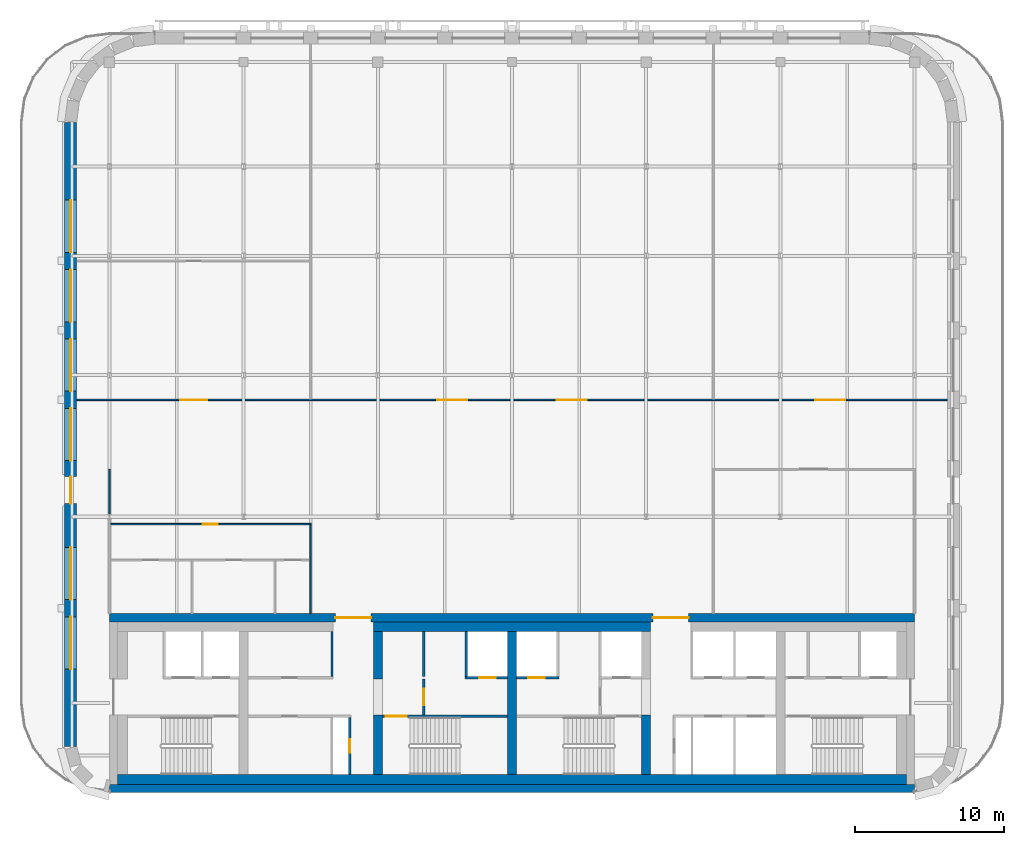
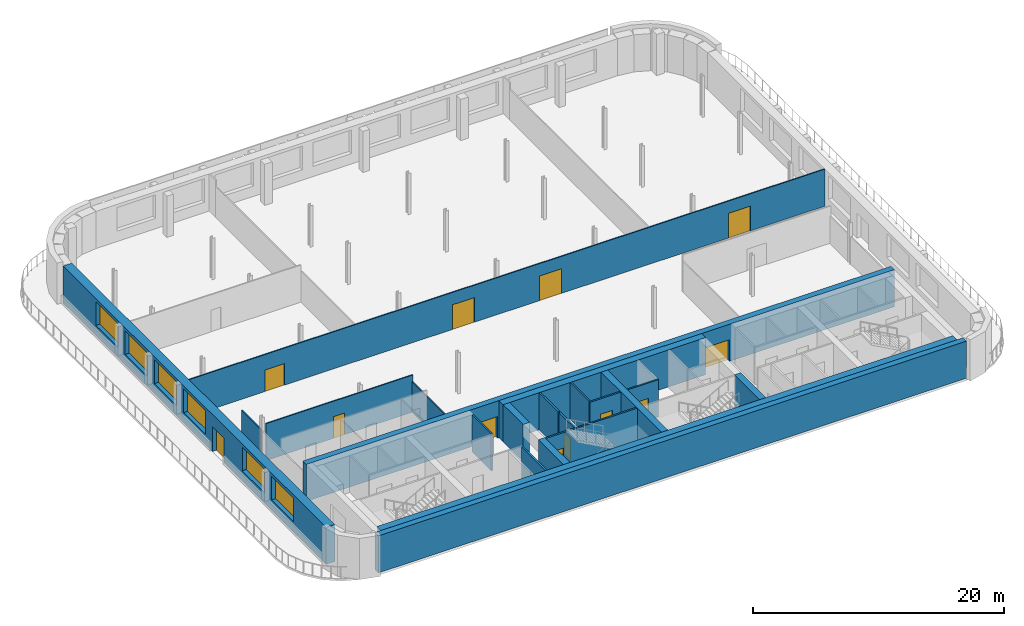
# One storey, part 7 of 13: 21 walls, 13 doors, 6 windows, 19 openings.
"""IFC4 building model written with IfcOpenShell, lengths in metres."""

from ifc_helpers import new_model, si_unit, direction, frame, frame_2d, origin, place, context, subcontext, project, spatial, rectangle, extrude, material, layer, layer_set, type_object, element, fill, save


model = new_model("IFC4")

# Units and contexts
model_context = context("Model", 3, precision=1e-05, world=origin(), true_north=direction((0.0, 1.0)))
body_context = subcontext(model_context, "Body", "Model", "MODEL_VIEW")
ifc_project = project(units=[si_unit("LENGTHUNIT", "METRE"), si_unit("AREAUNIT", "SQUARE_METRE"), si_unit("VOLUMEUNIT", "CUBIC_METRE"), si_unit("PLANEANGLEUNIT", "RADIAN"), si_unit("MASSUNIT", "GRAM", prefix="KILO")], contexts=[model_context])

# Site, building, storey
site_placement = place(None, origin())
site = spatial("IfcSite", under=ifc_project, at=site_placement, CompositionType="ELEMENT")
building_placement = place(site_placement, origin())
building = spatial("IfcBuilding", under=site, at=building_placement, Name="Zellij Exchange Tower", CompositionType="ELEMENT")
storey_placement = place(building_placement, frame((0.0, 0.0, 292.5)))
storey = spatial("IfcBuildingStorey", under=building, at=storey_placement, Name="L69", CompositionType="ELEMENT", Elevation=292.5)

# Walls
ifc_material_1 = material(Name="Concrete C50/60", Category="concrete")
ifc_layer_1 = layer(ifc_material_1, 0.60009765625)
ifc_layer_set_1 = layer_set([ifc_layer_1], Name="Concrete C50/60")
wall_type_1 = type_object("IfcWallType", Name="CORE-CW 600 C50/60", PredefinedType="SHEAR", material=ifc_layer_set_1)
wall_1_placement = place(storey_placement, frame((-9.0, -12.800048828125, 0.0), z_axis=(0.0, 0.0, 1.0), x_axis=(0.0, 1.0, 0.0)))
element("IfcWall", 1, at=wall_1_placement, inside=storey, type_object=wall_type_1, Name="Core cross wall pier x -9 a L69", PredefinedType="SHEAR", context=body_context, shape_type="SweptSolid", body=[
    extrude(rectangle(XDim=4.0, YDim=0.60009765625, at=frame_2d((2.0, 0.0))), origin(), (0.0, 0.0, 1.0), 3.60009765625),
])
wall_2_placement = place(storey_placement, frame((-9.0, -6.375, 0.0), z_axis=(0.0, 0.0, 1.0), x_axis=(0.0, 1.0, 0.0)))
element("IfcWall", 2, at=wall_2_placement, inside=storey, type_object=wall_type_1, Name="Core cross wall pier x -9 b L69", PredefinedType="SHEAR", context=body_context, shape_type="SweptSolid", body=[
    extrude(rectangle(XDim=3.175048828125, YDim=0.60009765625, at=frame_2d((1.58740234375, 0.0))), origin(), (0.0, 0.0, 1.0), 3.60009765625),
])
wall_3_placement = place(storey_placement, frame((0.0, -12.800048828125, 0.0), z_axis=(0.0, 0.0, 1.0), x_axis=(0.0, 1.0, 0.0)))
element("IfcWall", 3, at=wall_3_placement, inside=storey, type_object=wall_type_1, Name="Core cross wall x 0 L69", PredefinedType="SHEAR", context=body_context, shape_type="SweptSolid", body=[
    extrude(rectangle(XDim=9.60009765625, YDim=0.60009765625, at=frame_2d((4.800048828125, 0.0))), origin(), (0.0, 0.0, 1.0), 3.60009765625),
])
wall_4_placement = place(storey_placement, frame((9.0, -12.800048828125, 0.0), z_axis=(0.0, 0.0, 1.0), x_axis=(0.0, 1.0, 0.0)))
element("IfcWall", 4, at=wall_4_placement, inside=storey, type_object=wall_type_1, Name="Core cross wall pier x 9 a L69", PredefinedType="SHEAR", context=body_context, shape_type="SweptSolid", body=[
    extrude(rectangle(XDim=4.0, YDim=0.60009765625, at=frame_2d((2.0, 0.0))), origin(), (0.0, 0.0, 1.0), 3.60009765625),
])
ifc_material_2 = material(Name="Concrete C30/37", Category="concrete")
ifc_layer_2 = layer(ifc_material_2, 0.64990234375)
ifc_layer_set_2 = layer_set([ifc_layer_2], Name="Concrete C30/37")
wall_type_2 = type_object("IfcWallType", Name="CORE-LW 650 C30/37", PredefinedType="SHEAR", material=ifc_layer_set_2)
wall_5_placement = place(storey_placement, frame((-9.300048828125, -2.875, 0.0), z_axis=(0.0, 0.0, 1.0), x_axis=(1.0, 0.0, 0.0)))
element("IfcWall", 5, at=wall_5_placement, inside=storey, type_object=wall_type_2, Name="Core wall lining front.1 L69", PredefinedType="SHEAR", context=body_context, shape_type="SweptSolid", body=[
    extrude(rectangle(XDim=18.60009765625, YDim=0.64990234375, at=frame_2d((9.300048828125, 0.0))), origin(), (0.0, 0.0, 1.0), 3.60009765625),
])
wall_6_placement = place(storey_placement, frame((-26.449951171875, -13.125, 0.0), z_axis=(0.0, 0.0, 1.0), x_axis=(1.0, 0.0, 0.0)))
element("IfcWall", 6, at=wall_6_placement, inside=storey, type_object=wall_type_2, Name="Core wall lining rear.0 L69", PredefinedType="SHEAR", context=body_context, shape_type="SweptSolid", body=[
    extrude(rectangle(XDim=52.89990234375, YDim=0.64990234375, at=frame_2d((26.449951171875, 0.0))), origin(), (0.0, 0.0, 1.0), 3.60009765625),
])

# Wall, opening, door
ifc_material_3 = material(Name="Gypsum shaft wall system")
ifc_layer_3 = layer(ifc_material_3, 0.14990234375)
ifc_layer_set_3 = layer_set([ifc_layer_3], Name="Gypsum shaft wall system")
wall_type_3 = type_object("IfcWallType", Name="CORE-PW 150 Firefighting lobby wall", PredefinedType="PARTITIONING", material=ifc_layer_set_3)
wall_7_placement = place(storey_placement, frame((-5.925048828125, -8.800048828125, 0.0), z_axis=(0.0, 0.0, 1.0), x_axis=(0.0, 1.0, 0.0)))
wall_7 = element("IfcWall", 7, at=wall_7_placement, inside=storey, type_object=wall_type_3, Name="Firefighting lobby wall L69", PredefinedType="PARTITIONING", context=body_context, shape_type="SweptSolid", body=[
    extrude(rectangle(XDim=2.425048828125, YDim=0.14990234375, at=frame_2d((1.21240234375, 0.0))), origin(), (0.0, 0.0, 1.0), 3.60009765625),
])
opening_1_placement = place(wall_7_placement, frame((0.662109375, 0.0, 0.0)))
opening_1 = element("IfcOpeningElement", 8, at=opening_1_placement, cuts=wall_7, Name="Opening CA-36.10", PredefinedType="OPENING", context=body_context, shape_type="SweptSolid", body=[
    extrude(rectangle(XDim=1.10009765625, YDim=2.10009765625, at=frame_2d((0.550048828125, 1.050048828125))), frame((0.0, 0.0869140625, 0.0), z_axis=(0.0, -1.0, 0.0), x_axis=(1.0, 0.0, 0.0)), (0.0, 0.0, 1.0), 0.173828125),
])
ifc_material_4 = material(Name="Hollow metal fire door")
door_type_1 = type_object("IfcDoorType", Name="CORE-D F Firefighting lobby door 1100x2100 1 HR", OperationType="NOTDEFINED", PredefinedType="DOOR", material=ifc_material_4)
door_1_placement = place(opening_1_placement, origin())
door_1 = element("IfcDoor", 9, at=door_1_placement, inside=storey, type_object=door_type_1, Name="Firefighting lobby door CA-36.10", OperationType="SINGLE_SWING_LEFT", OverallHeight=2.10009765625, OverallWidth=1.10009765625, PredefinedType="DOOR", context=body_context, shape_type="SweptSolid", body=[
    extrude(rectangle(XDim=1.10009765625, YDim=2.10009765625, at=frame_2d((0.550048828125, 1.050048828125))), frame((0.0, 0.02490234375, 0.0), z_axis=(0.0, -1.0, 0.0), x_axis=(1.0, 0.0, 0.0)), (0.0, 0.0, 1.0), 0.050048828125),
])
fill(opening_1, door_1)

# Walls
ifc_material_5 = material(Name="Gypsum board partition")
ifc_layer_4 = layer(ifc_material_5, 0.14990234375)
ifc_layer_set_4 = layer_set([ifc_layer_4], Name="Gypsum board partition")
wall_type_4 = type_object("IfcWallType", Name="CORE-PW 150 Lift lobby wall", PredefinedType="PARTITIONING", material=ifc_layer_set_4)
for number, where, z_axis, x_axis, name in (
    (10, (-12.074951171875, -6.22509765625, 0.0), (0.0, 0.0, 1.0), (0.0, 1.0, 0.0), "Lift lobby wall L69"),
    (11, (-5.925048828125, -6.22509765625, 0.0), (0.0, 0.0, 1.0), (0.0, 1.0, 0.0), "Lift lobby wall L69"),
):
    element("IfcWall", number, at=place(storey_placement, frame(where, z_axis=z_axis, x_axis=x_axis)), inside=storey, type_object=wall_type_4, Name=name, PredefinedType="PARTITIONING", context=body_context, shape_type="SweptSolid", body=[
        extrude(rectangle(XDim=3.025146484375, YDim=0.14990234375, at=frame_2d((1.5126953125, 0.0))), origin(), (0.0, 0.0, 1.0), 3.60009765625),
    ])

# Wall, opening, door
wall_8_placement = place(storey_placement, frame((-10.875, -12.800048828125, 0.0), z_axis=(0.0, 0.0, 1.0), x_axis=(0.0, 1.0, 0.0)))
wall_8 = element("IfcWall", 12, at=wall_8_placement, inside=storey, type_object=wall_type_4, Name="Lift lobby wall L69", PredefinedType="PARTITIONING", context=body_context, shape_type="SweptSolid", body=[
    extrude(rectangle(XDim=3.85009765625, YDim=0.14990234375, at=frame_2d((1.925048828125, 0.0))), origin(), (0.0, 0.0, 1.0), 3.60009765625),
])
opening_2_placement = place(wall_8_placement, frame((1.47509765625, 0.0, 0.0)))
opening_2 = element("IfcOpeningElement", 13, at=opening_2_placement, cuts=wall_8, Name="Opening CA-36.07", PredefinedType="OPENING", context=body_context, shape_type="SweptSolid", body=[
    extrude(rectangle(XDim=0.89990234375, YDim=2.10009765625, at=frame_2d((0.449951171875, 1.050048828125))), frame((0.0, 0.0869140625, 0.0), z_axis=(0.0, -1.0, 0.0), x_axis=(1.0, 0.0, 0.0)), (0.0, 0.0, 1.0), 0.173828125),
])
door_type_2 = type_object("IfcDoorType", Name="CORE-D RD Riser door 900x2100 1.5 HR", OperationType="NOTDEFINED", PredefinedType="DOOR", material=ifc_material_4)
door_2_placement = place(opening_2_placement, origin())
door_2 = element("IfcDoor", 14, at=door_2_placement, inside=storey, type_object=door_type_2, Name="Riser door CA-36.07", OperationType="SINGLE_SWING_RIGHT", OverallHeight=2.10009765625, OverallWidth=0.89990234375, PredefinedType="DOOR", context=body_context, shape_type="SweptSolid", body=[
    extrude(rectangle(XDim=0.89990234375, YDim=2.10009765625, at=frame_2d((0.449951171875, 1.050048828125))), frame((0.0, 0.02490234375, 0.0), z_axis=(0.0, -1.0, 0.0), x_axis=(1.0, 0.0, 0.0)), (0.0, 0.0, 1.0), 0.050048828125),
])
fill(opening_2, door_2)

# Wall
ifc_layer_5 = layer(ifc_material_3, 0.14990234375)
ifc_layer_set_5 = layer_set([ifc_layer_5], Name="Gypsum shaft wall system")
wall_type_5 = type_object("IfcWallType", Name="CORE-PW 150 Lift shaft wall", PredefinedType="PARTITIONING", material=ifc_layer_set_5)
wall_9_placement = place(storey_placement, frame((-3.074951171875, -6.22509765625, 0.0), z_axis=(0.0, 0.0, 1.0), x_axis=(0.0, 1.0, 0.0)))
element("IfcWall", 15, at=wall_9_placement, inside=storey, type_object=wall_type_5, Name="Lift shaft wall L69", PredefinedType="PARTITIONING", context=body_context, shape_type="SweptSolid", body=[
    extrude(rectangle(XDim=3.025146484375, YDim=0.14990234375, at=frame_2d((1.5126953125, 0.0))), origin(), (0.0, 0.0, 1.0), 3.60009765625),
])

# Wall, opening, door
wall_10_placement = place(storey_placement, frame((-3.14990234375, -6.300048828125, 0.0), z_axis=(0.0, 0.0, 1.0), x_axis=(1.0, 0.0, 0.0)))
wall_10 = element("IfcWall", 16, at=wall_10_placement, inside=storey, type_object=wall_type_5, Name="Lift shaft wall L69", PredefinedType="PARTITIONING", context=body_context, shape_type="SweptSolid", body=[
    extrude(rectangle(XDim=2.849853515625, YDim=0.14990234375, at=frame_2d((1.4248046875, 0.0))), origin(), (0.0, 0.0, 1.0), 3.60009765625),
])
opening_3_placement = place(wall_10_placement, frame((0.949951171875, 0.0, 0.0)))
opening_3 = element("IfcOpeningElement", 17, at=opening_3_placement, cuts=wall_10, Name="Opening CA-36.11", PredefinedType="OPENING", context=body_context, shape_type="SweptSolid", body=[
    extrude(rectangle(XDim=1.10009765625, YDim=2.10009765625, at=frame_2d((0.550048828125, 1.050048828125))), frame((0.0, 0.0869140625, 0.0), z_axis=(0.0, -1.0, 0.0), x_axis=(1.0, 0.0, 0.0)), (0.0, 0.0, 1.0), 0.173828125),
])
door_type_3 = type_object("IfcDoorType", Name="CORE-D LD Lift landing door 1100x2100 1.5 HR", OperationType="NOTDEFINED", PredefinedType="DOOR", material=ifc_material_4)
door_3_placement = place(opening_3_placement, origin())
door_3 = element("IfcDoor", 18, at=door_3_placement, inside=storey, type_object=door_type_3, Name="Lift landing door CA-36.11", OperationType="SLIDING_TO_LEFT", OverallHeight=2.10009765625, OverallWidth=1.10009765625, PredefinedType="DOOR", context=body_context, shape_type="SweptSolid", body=[
    extrude(rectangle(XDim=1.10009765625, YDim=2.10009765625, at=frame_2d((0.550048828125, 1.050048828125))), frame((0.0, 0.02490234375, 0.0), z_axis=(0.0, -1.0, 0.0), x_axis=(1.0, 0.0, 0.0)), (0.0, 0.0, 1.0), 0.050048828125),
])
fill(opening_3, door_3)

wall_11_placement = place(storey_placement, frame((0.300048828125, -6.300048828125, 0.0), z_axis=(0.0, 0.0, 1.0), x_axis=(1.0, 0.0, 0.0)))
wall_11 = element("IfcWall", 19, at=wall_11_placement, inside=storey, type_object=wall_type_5, Name="Lift shaft wall L69", PredefinedType="PARTITIONING", context=body_context, shape_type="SweptSolid", body=[
    extrude(rectangle(XDim=2.849853515625, YDim=0.14990234375, at=frame_2d((1.4248046875, 0.0))), origin(), (0.0, 0.0, 1.0), 3.60009765625),
])
opening_4_placement = place(wall_11_placement, frame((0.800048828125, 0.0, 0.0)))
opening_4 = element("IfcOpeningElement", 20, at=opening_4_placement, cuts=wall_11, Name="Opening CA-36.12", PredefinedType="OPENING", context=body_context, shape_type="SweptSolid", body=[
    extrude(rectangle(XDim=1.10009765625, YDim=2.10009765625, at=frame_2d((0.550048828125, 1.050048828125))), frame((0.0, 0.0869140625, 0.0), z_axis=(0.0, -1.0, 0.0), x_axis=(1.0, 0.0, 0.0)), (0.0, 0.0, 1.0), 0.173828125),
])
door_4_placement = place(opening_4_placement, origin())
door_4 = element("IfcDoor", 21, at=door_4_placement, inside=storey, type_object=door_type_3, Name="Lift landing door CA-36.12", OperationType="SLIDING_TO_RIGHT", OverallHeight=2.10009765625, OverallWidth=1.10009765625, PredefinedType="DOOR", context=body_context, shape_type="SweptSolid", body=[
    extrude(rectangle(XDim=1.10009765625, YDim=2.10009765625, at=frame_2d((0.550048828125, 1.050048828125))), frame((0.0, 0.02490234375, 0.0), z_axis=(0.0, -1.0, 0.0), x_axis=(1.0, 0.0, 0.0)), (0.0, 0.0, 1.0), 0.050048828125),
])
fill(opening_4, door_4)

# Wall, openings, doors
ifc_layer_6 = layer(ifc_material_1, 0.550048828125)
ifc_layer_set_6 = layer_set([ifc_layer_6], Name="Concrete C50/60")
wall_type_6 = type_object("IfcWallType", Name="CORE-SW 550 C50/60", PredefinedType="SHEAR", material=ifc_layer_set_6)
wall_12_placement = place(storey_placement, frame((-27.0, -2.27490234375, 0.0), z_axis=(0.0, 0.0, 1.0), x_axis=(1.0, 0.0, 0.0)))
wall_12 = element("IfcWall", 22, at=wall_12_placement, inside=storey, type_object=wall_type_6, Name="Core shear wall front L69", PredefinedType="SHEAR", context=body_context, shape_type="SweptSolid", body=[
    extrude(rectangle(XDim=54.0, YDim=0.550048828125, at=frame_2d((27.0, 0.0))), origin(), (0.0, 0.0, 1.0), 3.60009765625),
])
opening_5_placement = place(wall_12_placement, frame((15.14990234375, 0.0, 0.0)))
opening_5 = element("IfcOpeningElement", 23, at=opening_5_placement, cuts=wall_12, Name="Opening CA-36.08", PredefinedType="OPENING", context=body_context, shape_type="SweptSolid", body=[
    extrude(rectangle(XDim=2.39990234375, YDim=2.10009765625, at=frame_2d((1.199951171875, 1.050048828125))), frame((0.0, 0.287109375, 0.0), z_axis=(0.0, -1.0, 0.0), x_axis=(1.0, 0.0, 0.0)), (0.0, 0.0, 1.0), 0.573974609375),
])
opening_6_placement = place(wall_12_placement, frame((36.449951171875, 0.0, 0.0)))
opening_6 = element("IfcOpeningElement", 24, at=opening_6_placement, cuts=wall_12, Name="Opening CA-36.16", PredefinedType="OPENING", context=body_context, shape_type="SweptSolid", body=[
    extrude(rectangle(XDim=2.39990234375, YDim=2.10009765625, at=frame_2d((1.199951171875, 1.050048828125))), frame((0.0, 0.287109375, 0.0), z_axis=(0.0, -1.0, 0.0), x_axis=(1.0, 0.0, 0.0)), (0.0, 0.0, 1.0), 0.573974609375),
])
door_type_4 = type_object("IfcDoorType", Name="CORE-D CE Core entrance door 2400x2100 20 MIN", OperationType="NOTDEFINED", PredefinedType="DOOR", material=ifc_material_4)
door_5_placement = place(opening_5_placement, origin())
door_5 = element("IfcDoor", 25, at=door_5_placement, inside=storey, type_object=door_type_4, Name="Core entrance door CA-36.08", OperationType="DOUBLE_DOOR_SINGLE_SWING", OverallHeight=2.10009765625, OverallWidth=2.39990234375, PredefinedType="DOOR", context=body_context, shape_type="SweptSolid", body=[
    extrude(rectangle(XDim=2.39990234375, YDim=2.10009765625, at=frame_2d((1.199951171875, 1.050048828125))), frame((0.0, 0.02490234375, 0.0), z_axis=(0.0, -1.0, 0.0), x_axis=(1.0, 0.0, 0.0)), (0.0, 0.0, 1.0), 0.050048828125),
])
fill(opening_5, door_5)
door_6_placement = place(opening_6_placement, origin())
door_6 = element("IfcDoor", 26, at=door_6_placement, inside=storey, type_object=door_type_4, Name="Core entrance door CA-36.16", OperationType="DOUBLE_DOOR_SINGLE_SWING", OverallHeight=2.10009765625, OverallWidth=2.39990234375, PredefinedType="DOOR", context=body_context, shape_type="SweptSolid", body=[
    extrude(rectangle(XDim=2.39990234375, YDim=2.10009765625, at=frame_2d((1.199951171875, 1.050048828125))), frame((0.0, 0.02490234375, 0.0), z_axis=(0.0, -1.0, 0.0), x_axis=(1.0, 0.0, 0.0)), (0.0, 0.0, 1.0), 0.050048828125),
])
fill(opening_6, door_6)

# Wall
wall_13_placement = place(storey_placement, frame((-27.0, -13.72509765625, 0.0), z_axis=(0.0, 0.0, 1.0), x_axis=(1.0, 0.0, 0.0)))
element("IfcWall", 27, at=wall_13_placement, inside=storey, type_object=wall_type_6, Name="Core shear wall rear L69", PredefinedType="SHEAR", context=body_context, shape_type="SweptSolid", body=[
    extrude(rectangle(XDim=54.0, YDim=0.550048828125, at=frame_2d((27.0, 0.0))), origin(), (0.0, 0.0, 1.0), 3.60009765625),
])

# Wall, opening, door
ifc_layer_7 = layer(ifc_material_1, 0.14990234375)
ifc_layer_set_7 = layer_set([ifc_layer_7], Name="Concrete C50/60")
wall_type_7 = type_object("IfcWallType", Name="CORE-SWS 150 C50/60", PredefinedType="SHEAR", material=ifc_layer_set_7)
wall_14_placement = place(storey_placement, frame((-8.699951171875, -8.875, 0.0), z_axis=(0.0, 0.0, 1.0), x_axis=(1.0, 0.0, 0.0)))
wall_14 = element("IfcWall", 28, at=wall_14_placement, inside=storey, type_object=wall_type_7, Name="Stair enclosure wall L69", PredefinedType="SHEAR", context=body_context, shape_type="SweptSolid", body=[
    extrude(rectangle(XDim=8.39990234375, YDim=0.14990234375, at=frame_2d((4.199951171875, 0.0))), origin(), (0.0, 0.0, 1.0), 3.60009765625),
])
opening_7_placement = place(wall_14_placement, frame((0.22509765625, 0.0, 0.0)))
opening_7 = element("IfcOpeningElement", 29, at=opening_7_placement, cuts=wall_14, Name="Opening CA-36.09", PredefinedType="OPENING", context=body_context, shape_type="SweptSolid", body=[
    extrude(rectangle(XDim=1.39990234375, YDim=2.10009765625, at=frame_2d((0.699951171875, 1.050048828125))), frame((0.0, 0.0869140625, 0.0), z_axis=(0.0, -1.0, 0.0), x_axis=(1.0, 0.0, 0.0)), (0.0, 0.0, 1.0), 0.173828125),
])
door_type_5 = type_object("IfcDoorType", Name="CORE-D SD Stair door 1400x2100 1.5 HR", OperationType="NOTDEFINED", PredefinedType="DOOR", material=ifc_material_4)
door_7_placement = place(opening_7_placement, origin())
door_7 = element("IfcDoor", 30, at=door_7_placement, inside=storey, type_object=door_type_5, Name="Stair door CA-36.09", OperationType="DOUBLE_DOOR_SINGLE_SWING", OverallHeight=2.10009765625, OverallWidth=1.39990234375, PredefinedType="DOOR", context=body_context, shape_type="SweptSolid", body=[
    extrude(rectangle(XDim=1.39990234375, YDim=2.10009765625, at=frame_2d((0.699951171875, 1.050048828125))), frame((0.0, 0.02490234375, 0.0), z_axis=(0.0, -1.0, 0.0), x_axis=(1.0, 0.0, 0.0)), (0.0, 0.0, 1.0), 0.050048828125),
])
fill(opening_7, door_7)

# Wall, openings, door, windows
ifc_material_6 = material(Name="Precast concrete C40/50", Category="concrete")
ifc_layer_8 = layer(ifc_material_6, 0.800048828125)
ifc_layer_set_8 = layer_set([ifc_layer_8], Name="Precast concrete C40/50")
wall_type_8 = type_object("IfcWallType", Name="ENV-EW1 Precast stone-piered wall 800", PredefinedType="SOLIDWALL", material=ifc_layer_set_8)
wall_15_placement = place(storey_placement, frame((-29.60009765625, 30.947509765625, 0.0), z_axis=(0.0, 0.0, 1.0), x_axis=(0.0, -1.0, 0.0)))
wall_15 = element("IfcWall", 31, at=wall_15_placement, inside=storey, type_object=wall_type_8, Name="fac.L69.18", PredefinedType="SOLIDWALL", context=body_context, shape_type="SweptSolid", body=[
    extrude(rectangle(XDim=41.842041015625, YDim=0.800048828125, at=frame_2d((20.9208984375, 0.0))), origin(), (0.0, 0.0, 1.0), 3.60009765625),
])
opening_8_placement = place(wall_15_placement, frame((5.210693359375, 0.0, 1.0)))
opening_8 = element("IfcOpeningElement", 32, at=opening_8_placement, cuts=wall_15, Name="Opening FC3.17", PredefinedType="OPENING", context=body_context, shape_type="SweptSolid", body=[
    extrude(rectangle(XDim=3.5, YDim=2.300048828125, at=frame_2d((1.75, 1.14990234375))), frame((0.0, 0.412109375, 0.0), z_axis=(0.0, -1.0, 0.0), x_axis=(1.0, 0.0, 0.0)), (0.0, 0.0, 1.0), 0.823974609375),
])
opening_9_placement = place(wall_15_placement, frame((9.868408203125, 0.0, 1.0)))
opening_9 = element("IfcOpeningElement", 33, at=opening_9_placement, cuts=wall_15, Name="Opening FC3.18", PredefinedType="OPENING", context=body_context, shape_type="SweptSolid", body=[
    extrude(rectangle(XDim=3.5, YDim=2.300048828125, at=frame_2d((1.75, 1.14990234375))), frame((0.0, 0.412109375, 0.0), z_axis=(0.0, -1.0, 0.0), x_axis=(1.0, 0.0, 0.0)), (0.0, 0.0, 1.0), 0.823974609375),
])
opening_10_placement = place(wall_15_placement, frame((14.526611328125, 0.0, 1.0)))
opening_10 = element("IfcOpeningElement", 34, at=opening_10_placement, cuts=wall_15, Name="Opening FC3.19", PredefinedType="OPENING", context=body_context, shape_type="SweptSolid", body=[
    extrude(rectangle(XDim=3.5, YDim=2.300048828125, at=frame_2d((1.75, 1.14990234375))), frame((0.0, 0.412109375, 0.0), z_axis=(0.0, -1.0, 0.0), x_axis=(1.0, 0.0, 0.0)), (0.0, 0.0, 1.0), 0.823974609375),
])
opening_11_placement = place(wall_15_placement, frame((19.184326171875, 0.0, 1.0)))
opening_11 = element("IfcOpeningElement", 35, at=opening_11_placement, cuts=wall_15, Name="Opening FC3.20", PredefinedType="OPENING", context=body_context, shape_type="SweptSolid", body=[
    extrude(rectangle(XDim=3.5, YDim=2.300048828125, at=frame_2d((1.75, 1.14990234375))), frame((0.0, 0.412109375, 0.0), z_axis=(0.0, -1.0, 0.0), x_axis=(1.0, 0.0, 0.0)), (0.0, 0.0, 1.0), 0.823974609375),
])
opening_12_placement = place(wall_15_placement, frame((28.500244140625, 0.0, 1.0)))
opening_12 = element("IfcOpeningElement", 36, at=opening_12_placement, cuts=wall_15, Name="Opening FC3.21", PredefinedType="OPENING", context=body_context, shape_type="SweptSolid", body=[
    extrude(rectangle(XDim=3.5, YDim=2.300048828125, at=frame_2d((1.75, 1.14990234375))), frame((0.0, 0.412109375, 0.0), z_axis=(0.0, -1.0, 0.0), x_axis=(1.0, 0.0, 0.0)), (0.0, 0.0, 1.0), 0.823974609375),
])
opening_13_placement = place(wall_15_placement, frame((33.157958984375, 0.0, 1.0)))
opening_13 = element("IfcOpeningElement", 37, at=opening_13_placement, cuts=wall_15, Name="Opening FC3.22", PredefinedType="OPENING", context=body_context, shape_type="SweptSolid", body=[
    extrude(rectangle(XDim=3.5, YDim=2.300048828125, at=frame_2d((1.75, 1.14990234375))), frame((0.0, 0.412109375, 0.0), z_axis=(0.0, -1.0, 0.0), x_axis=(1.0, 0.0, 0.0)), (0.0, 0.0, 1.0), 0.823974609375),
])
opening_14_placement = place(wall_15_placement, frame((23.76318359375, 0.0, 0.0)))
opening_14 = element("IfcOpeningElement", 38, at=opening_14_placement, cuts=wall_15, Name="Opening FC3.24", PredefinedType="OPENING", context=body_context, shape_type="SweptSolid", body=[
    extrude(rectangle(XDim=1.800048828125, YDim=2.39990234375, at=frame_2d((0.89990234375, 1.199951171875))), frame((0.0, 0.412109375, 0.0), z_axis=(0.0, -1.0, 0.0), x_axis=(1.0, 0.0, 0.0)), (0.0, 0.0, 1.0), 0.823974609375),
])
ifc_material_7 = material(Name="Aluminium and glass terrace door", Category="aluminium")
door_type_6 = type_object("IfcDoorType", Name="ENV-ED5 Terrace door 1800x2400", OperationType="DOUBLE_DOOR_SINGLE_SWING", PredefinedType="DOOR", material=ifc_material_7)
door_8_placement = place(opening_14_placement, origin())
door_8 = element("IfcDoor", 39, at=door_8_placement, inside=storey, type_object=door_type_6, Name="Terrace door FC3.24", OperationType="DOUBLE_DOOR_SINGLE_SWING", OverallHeight=2.39990234375, OverallWidth=1.800048828125, PredefinedType="DOOR", context=body_context, shape_type="SweptSolid", body=[
    extrude(rectangle(XDim=1.800048828125, YDim=2.39990234375, at=frame_2d((0.89990234375, 1.199951171875))), frame((0.0, 0.02490234375, 0.0), z_axis=(0.0, -1.0, 0.0), x_axis=(1.0, 0.0, 0.0)), (0.0, 0.0, 1.0), 0.050048828125),
])
fill(opening_14, door_8)
ifc_material_8 = material(Name="Aluminium frame with insulating glass", Category="aluminium")
window_type = type_object("IfcWindowType", Name="ENV-W5 Window 3500x2300", PartitioningType="SINGLE_PANEL", PredefinedType="WINDOW", material=ifc_material_8)
window_1_placement = place(opening_8_placement, origin())
window_1 = element("IfcWindow", 40, at=window_1_placement, inside=storey, type_object=window_type, Name="Window FC3.17", OverallHeight=2.300048828125, OverallWidth=3.5, PartitioningType="SINGLE_PANEL", PredefinedType="WINDOW", context=body_context, shape_type="SweptSolid", body=[
    extrude(rectangle(XDim=3.5, YDim=2.300048828125, at=frame_2d((1.75, 1.14990234375))), frame((0.0, 0.030029296875, 0.0), z_axis=(0.0, -1.0, 0.0), x_axis=(1.0, 0.0, 0.0)), (0.0, 0.0, 1.0), 0.06005859375),
])
fill(opening_8, window_1)
window_2_placement = place(opening_9_placement, origin())
window_2 = element("IfcWindow", 41, at=window_2_placement, inside=storey, type_object=window_type, Name="Window FC3.18", OverallHeight=2.300048828125, OverallWidth=3.5, PartitioningType="SINGLE_PANEL", PredefinedType="WINDOW", context=body_context, shape_type="SweptSolid", body=[
    extrude(rectangle(XDim=3.5, YDim=2.300048828125, at=frame_2d((1.75, 1.14990234375))), frame((0.0, 0.030029296875, 0.0), z_axis=(0.0, -1.0, 0.0), x_axis=(1.0, 0.0, 0.0)), (0.0, 0.0, 1.0), 0.06005859375),
])
fill(opening_9, window_2)
window_3_placement = place(opening_10_placement, origin())
window_3 = element("IfcWindow", 42, at=window_3_placement, inside=storey, type_object=window_type, Name="Window FC3.19", OverallHeight=2.300048828125, OverallWidth=3.5, PartitioningType="SINGLE_PANEL", PredefinedType="WINDOW", context=body_context, shape_type="SweptSolid", body=[
    extrude(rectangle(XDim=3.5, YDim=2.300048828125, at=frame_2d((1.75, 1.14990234375))), frame((0.0, 0.030029296875, 0.0), z_axis=(0.0, -1.0, 0.0), x_axis=(1.0, 0.0, 0.0)), (0.0, 0.0, 1.0), 0.06005859375),
])
fill(opening_10, window_3)
window_4_placement = place(opening_11_placement, origin())
window_4 = element("IfcWindow", 43, at=window_4_placement, inside=storey, type_object=window_type, Name="Window FC3.20", OverallHeight=2.300048828125, OverallWidth=3.5, PartitioningType="SINGLE_PANEL", PredefinedType="WINDOW", context=body_context, shape_type="SweptSolid", body=[
    extrude(rectangle(XDim=3.5, YDim=2.300048828125, at=frame_2d((1.75, 1.14990234375))), frame((0.0, 0.030029296875, 0.0), z_axis=(0.0, -1.0, 0.0), x_axis=(1.0, 0.0, 0.0)), (0.0, 0.0, 1.0), 0.06005859375),
])
fill(opening_11, window_4)
window_5_placement = place(opening_12_placement, origin())
window_5 = element("IfcWindow", 44, at=window_5_placement, inside=storey, type_object=window_type, Name="Window FC3.21", OverallHeight=2.300048828125, OverallWidth=3.5, PartitioningType="SINGLE_PANEL", PredefinedType="WINDOW", context=body_context, shape_type="SweptSolid", body=[
    extrude(rectangle(XDim=3.5, YDim=2.300048828125, at=frame_2d((1.75, 1.14990234375))), frame((0.0, 0.030029296875, 0.0), z_axis=(0.0, -1.0, 0.0), x_axis=(1.0, 0.0, 0.0)), (0.0, 0.0, 1.0), 0.06005859375),
])
fill(opening_12, window_5)
window_6_placement = place(opening_13_placement, origin())
window_6 = element("IfcWindow", 45, at=window_6_placement, inside=storey, type_object=window_type, Name="Window FC3.22", OverallHeight=2.300048828125, OverallWidth=3.5, PartitioningType="SINGLE_PANEL", PredefinedType="WINDOW", context=body_context, shape_type="SweptSolid", body=[
    extrude(rectangle(XDim=3.5, YDim=2.300048828125, at=frame_2d((1.75, 1.14990234375))), frame((0.0, 0.030029296875, 0.0), z_axis=(0.0, -1.0, 0.0), x_axis=(1.0, 0.0, 0.0)), (0.0, 0.0, 1.0), 0.06005859375),
])
fill(opening_13, window_6)

# Walls
ifc_material_9 = material(Name="Gypsum board partition on steel studs", Category="steel")
ifc_layer_9 = layer(ifc_material_9, 0.10009765625)
ifc_layer_set_9 = layer_set([ifc_layer_9], Name="Gypsum board partition on steel studs")
wall_type_9 = type_object("IfcWallType", Name="FIT-PARTITION-100", PredefinedType="PARTITIONING", material=ifc_layer_set_9)
wall_16_placement = place(storey_placement, frame((-27.0, 4.676513671875, 0.0), z_axis=(0.0, 0.0, 1.0), x_axis=(0.0, 1.0, 0.0)))
element("IfcWall", 46, at=wall_16_placement, inside=storey, type_object=wall_type_9, Name="FIT-PARTITION-100 002", PredefinedType="PARTITIONING", context=body_context, shape_type="SweptSolid", body=[
    extrude(rectangle(XDim=3.00341796875, YDim=0.10009765625, at=frame_2d((1.501708984375, 0.0))), origin(), (0.0, 0.0, 1.0), 2.667724609375),
])
wall_17_placement = place(storey_placement, frame((-13.5, -2.0, 0.0), z_axis=(0.0, 0.0, 1.0), x_axis=(0.0, 1.0, 0.0)))
element("IfcWall", 47, at=wall_17_placement, inside=storey, type_object=wall_type_9, Name="FIT-PARTITION-100 005", PredefinedType="PARTITIONING", context=body_context, shape_type="SweptSolid", body=[
    extrude(rectangle(XDim=5.949951171875, YDim=0.10009765625, at=frame_2d((2.97509765625, 0.0))), origin(), (0.0, 0.0, 1.0), 2.98779296875),
])

# Wall, opening, door
wall_18_placement = place(storey_placement, frame((-26.949951171875, 4.0, 0.0), z_axis=(0.0, 0.0, 1.0), x_axis=(1.0, 0.0, 0.0)))
wall_18 = element("IfcWall", 48, at=wall_18_placement, inside=storey, type_object=wall_type_9, Name="FIT-PARTITION-100 010", PredefinedType="PARTITIONING", context=body_context, shape_type="SweptSolid", body=[
    extrude(rectangle(XDim=13.5, YDim=0.10009765625, at=frame_2d((6.75, 0.0))), origin(), (0.0, 0.0, 1.0), 3.60009765625),
])
opening_15_placement = place(wall_18_placement, frame((6.199951171875, 0.0, 0.0)))
opening_15 = element("IfcOpeningElement", 49, at=opening_15_placement, cuts=wall_18, Name="Opening EX6.04", PredefinedType="OPENING", context=body_context, shape_type="SweptSolid", body=[
    extrude(rectangle(XDim=1.0, YDim=2.10009765625, at=frame_2d((0.5, 1.050048828125))), frame((0.0, 0.06201171875, 0.0), z_axis=(0.0, -1.0, 0.0), x_axis=(1.0, 0.0, 0.0)), (0.0, 0.0, 1.0), 0.1240234375),
])
ifc_material_10 = material(Name="Timber door set", Category="wood")
door_type_7 = type_object("IfcDoorType", Name="FIT-D2-WIDE-1000X2100", OperationType="SINGLE_SWING_LEFT", PredefinedType="DOOR", material=ifc_material_10)
door_9_placement = place(opening_15_placement, origin())
door_9 = element("IfcDoor", 50, at=door_9_placement, inside=storey, type_object=door_type_7, Name="Door EX6.04", OperationType="SINGLE_SWING_LEFT", OverallHeight=2.10009765625, OverallWidth=1.0, PredefinedType="DOOR", context=body_context, shape_type="SweptSolid", body=[
    extrude(rectangle(XDim=1.0, YDim=2.10009765625, at=frame_2d((0.5, 1.050048828125))), frame((0.0, 0.02490234375, 0.0), z_axis=(0.0, -1.0, 0.0), x_axis=(1.0, 0.0, 0.0)), (0.0, 0.0, 1.0), 0.050048828125),
])
fill(opening_15, door_9)

# Wall, openings, doors
wall_19_placement = place(storey_placement, frame((-29.199951171875, 12.340087890625, 0.0), z_axis=(0.0, 0.0, 1.0), x_axis=(1.0, 0.0, 0.0)))
wall_19 = element("IfcWall", 51, at=wall_19_placement, inside=storey, type_object=wall_type_9, Name="FIT-PARTITION-100 012", PredefinedType="PARTITIONING", context=body_context, shape_type="SweptSolid", body=[
    extrude(rectangle(XDim=58.39990234375, YDim=0.10009765625, at=frame_2d((29.199951171875, 0.0))), origin(), (0.0, 0.0, 1.0), 3.60009765625),
])
opening_16_placement = place(wall_19_placement, frame((6.949951171875, 0.0, 0.0)))
opening_16 = element("IfcOpeningElement", 52, at=opening_16_placement, cuts=wall_19, Name="Opening EX6.06", PredefinedType="OPENING", context=body_context, shape_type="SweptSolid", body=[
    extrude(rectangle(XDim=1.800048828125, YDim=2.10009765625, at=frame_2d((0.89990234375, 1.050048828125))), frame((0.0, 0.06201171875, 0.0), z_axis=(0.0, -1.0, 0.0), x_axis=(1.0, 0.0, 0.0)), (0.0, 0.0, 1.0), 0.1240234375),
])
opening_17_placement = place(wall_19_placement, frame((24.199951171875, 0.0, 0.0)))
opening_17 = element("IfcOpeningElement", 53, at=opening_17_placement, cuts=wall_19, Name="Opening EX6.07", PredefinedType="OPENING", context=body_context, shape_type="SweptSolid", body=[
    extrude(rectangle(XDim=2.0, YDim=2.39990234375, at=frame_2d((1.0, 1.199951171875))), frame((0.0, 0.06201171875, 0.0), z_axis=(0.0, -1.0, 0.0), x_axis=(1.0, 0.0, 0.0)), (0.0, 0.0, 1.0), 0.1240234375),
])
opening_18_placement = place(wall_19_placement, frame((32.199951171875, 0.0, 0.0)))
opening_18 = element("IfcOpeningElement", 54, at=opening_18_placement, cuts=wall_19, Name="Opening EX6.08", PredefinedType="OPENING", context=body_context, shape_type="SweptSolid", body=[
    extrude(rectangle(XDim=2.0, YDim=2.39990234375, at=frame_2d((1.0, 1.199951171875))), frame((0.0, 0.06201171875, 0.0), z_axis=(0.0, -1.0, 0.0), x_axis=(1.0, 0.0, 0.0)), (0.0, 0.0, 1.0), 0.1240234375),
])
opening_19_placement = place(wall_19_placement, frame((49.550048828125, 0.0, 0.0)))
opening_19 = element("IfcOpeningElement", 55, at=opening_19_placement, cuts=wall_19, Name="Opening EX6.09", PredefinedType="OPENING", context=body_context, shape_type="SweptSolid", body=[
    extrude(rectangle(XDim=2.0, YDim=2.39990234375, at=frame_2d((1.0, 1.199951171875))), frame((0.0, 0.06201171875, 0.0), z_axis=(0.0, -1.0, 0.0), x_axis=(1.0, 0.0, 0.0)), (0.0, 0.0, 1.0), 0.1240234375),
])
door_type_8 = type_object("IfcDoorType", Name="FIT-D3-DOUBLE-1800X2100", OperationType="DOUBLE_DOOR_SINGLE_SWING", PredefinedType="DOOR", material=ifc_material_10)
door_10_placement = place(opening_16_placement, origin())
door_10 = element("IfcDoor", 56, at=door_10_placement, inside=storey, type_object=door_type_8, Name="Door EX6.06", OperationType="DOUBLE_DOOR_SINGLE_SWING", OverallHeight=2.10009765625, OverallWidth=1.800048828125, PredefinedType="DOOR", context=body_context, shape_type="SweptSolid", body=[
    extrude(rectangle(XDim=1.800048828125, YDim=2.10009765625, at=frame_2d((0.89990234375, 1.050048828125))), frame((0.0, 0.02490234375, 0.0), z_axis=(0.0, -1.0, 0.0), x_axis=(1.0, 0.0, 0.0)), (0.0, 0.0, 1.0), 0.050048828125),
])
fill(opening_16, door_10)
ifc_material_11 = material(Name="Glazed door set (glass)", Category="glass")
door_type_9 = type_object("IfcDoorType", Name="FIT-D9-GLASS-DOUBLE-2000X2400", OperationType="DOUBLE_DOOR_SINGLE_SWING", PredefinedType="DOOR", material=ifc_material_11)
door_11_placement = place(opening_17_placement, origin())
door_11 = element("IfcDoor", 57, at=door_11_placement, inside=storey, type_object=door_type_9, Name="Door EX6.07", OperationType="DOUBLE_DOOR_SINGLE_SWING", OverallHeight=2.39990234375, OverallWidth=2.0, PredefinedType="DOOR", context=body_context, shape_type="SweptSolid", body=[
    extrude(rectangle(XDim=2.0, YDim=2.39990234375, at=frame_2d((1.0, 1.199951171875))), frame((0.0, 0.02490234375, 0.0), z_axis=(0.0, -1.0, 0.0), x_axis=(1.0, 0.0, 0.0)), (0.0, 0.0, 1.0), 0.050048828125),
])
fill(opening_17, door_11)
door_12_placement = place(opening_18_placement, origin())
door_12 = element("IfcDoor", 58, at=door_12_placement, inside=storey, type_object=door_type_9, Name="Door EX6.08", OperationType="DOUBLE_DOOR_SINGLE_SWING", OverallHeight=2.39990234375, OverallWidth=2.0, PredefinedType="DOOR", context=body_context, shape_type="SweptSolid", body=[
    extrude(rectangle(XDim=2.0, YDim=2.39990234375, at=frame_2d((1.0, 1.199951171875))), frame((0.0, 0.02490234375, 0.0), z_axis=(0.0, -1.0, 0.0), x_axis=(1.0, 0.0, 0.0)), (0.0, 0.0, 1.0), 0.050048828125),
])
fill(opening_18, door_12)
door_13_placement = place(opening_19_placement, origin())
door_13 = element("IfcDoor", 59, at=door_13_placement, inside=storey, type_object=door_type_9, Name="Door EX6.09", OperationType="DOUBLE_DOOR_SINGLE_SWING", OverallHeight=2.39990234375, OverallWidth=2.0, PredefinedType="DOOR", context=body_context, shape_type="SweptSolid", body=[
    extrude(rectangle(XDim=2.0, YDim=2.39990234375, at=frame_2d((1.0, 1.199951171875))), frame((0.0, 0.02490234375, 0.0), z_axis=(0.0, -1.0, 0.0), x_axis=(1.0, 0.0, 0.0)), (0.0, 0.0, 1.0), 0.050048828125),
])
fill(opening_19, door_13)

save(model, "model.ifc")
